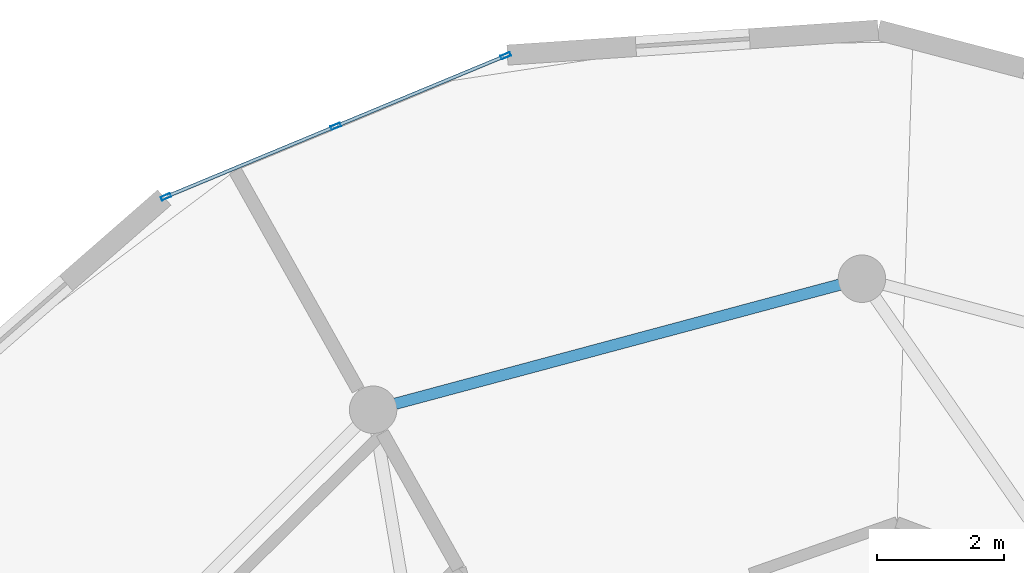
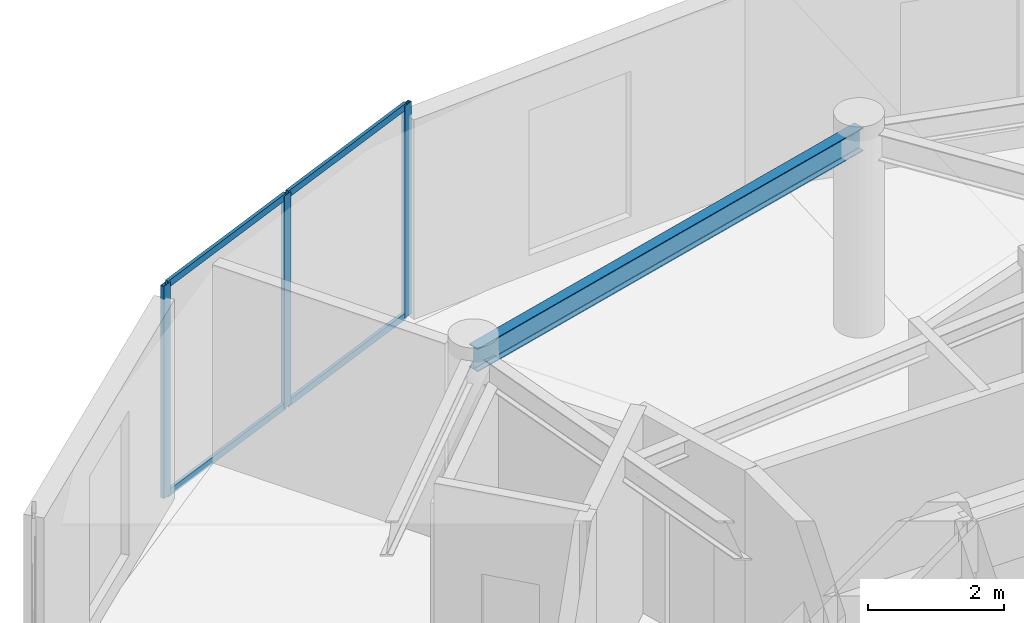
# One storey, part 14 of 22: 7 members, 1 beam, 1 element without a shape of its own.
"""IFC4 building model written with IfcOpenShell, lengths in metres."""

from ifc_helpers import new_model, si_unit, direction, frame, origin, origin_2d, place, context, subcontext, project, spatial, hollow_rectangle, i_section, extrude, source, transform, mapped, material, layer, layer_set, material_profile, profile_set, type_object, element, aggregate, save


model = new_model("IFC4")

# Units and contexts
model_context = context("Model", 3, precision=1e-05, world=origin(), true_north=direction((0.0, 1.0)))
body_context = subcontext(model_context, "Body", "Model", "MODEL_VIEW")
ifc_project = project(units=[si_unit("LENGTHUNIT", "METRE"), si_unit("AREAUNIT", "SQUARE_METRE"), si_unit("VOLUMEUNIT", "CUBIC_METRE"), si_unit("PLANEANGLEUNIT", "RADIAN"), si_unit("MASSUNIT", "GRAM", prefix="KILO")], contexts=[model_context])

# Site, building, storey
site_placement = place(None, origin())
site = spatial("IfcSite", under=ifc_project, at=site_placement, CompositionType="ELEMENT")
building_placement = place(site_placement, origin())
building = spatial("IfcBuilding", under=site, at=building_placement, Name="Solvirekh Grand Hotel", CompositionType="ELEMENT")
storey_placement = place(building_placement, frame((0.0, 0.0, 243.0)))
storey = spatial("IfcBuildingStorey", under=building, at=storey_placement, Name="L63", CompositionType="ELEMENT", Elevation=243.0)

# Beam
ifc_material_1 = material(Name="Steel S355", Category="steel")
ifc_material_profile_1 = material_profile(ifc_material_1, i_section(OverallWidth=0.180908203125, OverallDepth=0.4169921875, WebThickness=0.010009765625, FlangeThickness=0.01611328125, FilletRadius=0.011962890625, at=origin_2d()), Name="W410X85")
ifc_profile_set_1 = profile_set([ifc_material_profile_1], Name="Steel S355")
beam_type = type_object("IfcBeamType", Name="Spandrel_Ring_W410", PredefinedType="SPANDREL", material=ifc_profile_set_1)
beam_placement = place(storey_placement, frame((0.0, 15.449951171875, 3.362060546875), z_axis=(-0.965921616143, -0.258834757072, 0.0), x_axis=(0.258834757072, -0.965921616143, 0.0)))
element("IfcBeam", 1, at=beam_placement, inside=storey, type_object=beam_type, Name="L63 perimeter spandrel beam 4", PredefinedType="SPANDREL", context=body_context, shape_type="SweptSolid", body=[
    extrude(i_section(OverallWidth=0.180908203125, OverallDepth=0.4169921875, WebThickness=0.010009765625, FlangeThickness=0.01611328125, FilletRadius=0.011962890625, at=origin_2d()), origin(), (0.0, 0.0, 1.0), 7.99755859375),
])

# Curtain wall, members
ifc_material_2 = material(Name="Anodized Bronze Aluminium 6063-T6", Category="aluminium")
ifc_layer = layer(ifc_material_2, 0.159912109375)
ifc_layer_set = layer_set([ifc_layer], Name="Anodized Bronze Aluminium 6063-T6")
curtain_wall_type = type_object("IfcCurtainWallType", Name="CW_Sys4_HighZoneFlushBronzeCW", PredefinedType="NOTDEFINED", material=ifc_layer_set)
curtain_wall_placement = place(storey_placement, origin())
curtain_wall = element("IfcCurtainWall", 2, at=curtain_wall_placement, inside=storey, type_object=curtain_wall_type, Name="L63 unitised bronze-glass curtain wall CW-L63-C11", PredefinedType="NOTDEFINED")
ifc_material_profile_2 = material_profile(ifc_material_2, hollow_rectangle(XDim=0.06005859375, YDim=0.159912109375, WallThickness=0.0048828125, at=origin_2d()), Name="ALU RHS 160X60X5")
ifc_profile_set_2 = profile_set([ifc_material_profile_2], Name="Anodized Bronze Aluminium 6063-T6")
member_type_1 = type_object("IfcMemberType", Name="CWMullion_Sys4", PredefinedType="MULLION", material=ifc_profile_set_2)
shared_shape_1 = source(origin(), body_context, "Body", "SweptSolid", [
    extrude(hollow_rectangle(XDim=0.06005859375, YDim=0.159912109375, WallThickness=0.0048828125, at=origin_2d()), origin(), (0.0, 0.0, 1.0), 3.800048828125),
])
member_1_placement = place(storey_placement, frame((-5.630615234375, 18.973388671875, 0.0), z_axis=(0.0, 0.0, 1.0), x_axis=(0.383514713871, -0.923534766126, 0.0)))
member_1 = element("IfcMember", 3, at=member_1_placement, type_object=member_type_1, Name="U04 mullion 1", PredefinedType="MULLION", context=body_context, shape_type="MappedRepresentation", body=[
    mapped(shared_shape_1, transform((0.0, 0.0, 0.0), x_axis=(1.0, 0.0, 0.0), y_axis=(0.0, 1.0, 0.0), z_axis=(0.0, 0.0, 1.0), scale=1.0)),
])
member_2_placement = place(storey_placement, frame((-8.314453125, 17.85888671875, 0.0), z_axis=(0.0, 0.0, 1.0), x_axis=(0.383514713871, -0.923534766126, 0.0)))
member_2 = element("IfcMember", 4, at=member_2_placement, type_object=member_type_1, Name="U04 mullion 2", PredefinedType="MULLION", context=body_context, shape_type="MappedRepresentation", body=[
    mapped(shared_shape_1, transform((0.0, 0.0, 0.0), x_axis=(1.0, 0.0, 0.0), y_axis=(0.0, 1.0, 0.0), z_axis=(0.0, 0.0, 1.0), scale=1.0)),
])
member_3_placement = place(storey_placement, frame((-10.998291015625, 16.744384765625, 0.0), z_axis=(0.0, 0.0, 1.0), x_axis=(0.383514713871, -0.923534766126, 0.0)))
member_3 = element("IfcMember", 5, at=member_3_placement, type_object=member_type_1, Name="U04 mullion 3", PredefinedType="MULLION", context=body_context, shape_type="MappedRepresentation", body=[
    mapped(shared_shape_1, transform((0.0, 0.0, 0.0), x_axis=(1.0, 0.0, 0.0), y_axis=(0.0, 1.0, 0.0), z_axis=(0.0, 0.0, 1.0), scale=1.0)),
])
ifc_material_profile_3 = material_profile(ifc_material_2, hollow_rectangle(XDim=0.054931640625, YDim=0.1201171875, WallThickness=0.00390625, at=origin_2d()), Name="ALU RHS 120X55X4")
ifc_profile_set_3 = profile_set([ifc_material_profile_3], Name="Anodized Bronze Aluminium 6063-T6")
member_type_2 = type_object("IfcMemberType", Name="CWTransom_Sys4", PredefinedType="USERDEFINED", material=ifc_profile_set_3)
shared_shape_2 = source(origin(), body_context, "Body", "SweptSolid", [
    extrude(hollow_rectangle(XDim=0.054931640625, YDim=0.1201171875, WallThickness=0.00390625, at=origin_2d()), origin(), (0.0, 0.0, 1.0), 2.845947265625),
])
member_4_placement = place(storey_placement, frame((-5.658447265625, 18.9619140625, 0.027587890625), z_axis=(-0.923558419422, -0.383457749844, 0.0), x_axis=(0.383457749844, -0.923558419422, 0.0)))
member_4 = element("IfcMember", 6, at=member_4_placement, type_object=member_type_2, Name="U04 transom 1.1", ObjectType="TRANSOM", PredefinedType="USERDEFINED", context=body_context, shape_type="MappedRepresentation", body=[
    mapped(shared_shape_2, transform((0.0, 0.0, 0.0), x_axis=(1.0, 0.0, 0.0), y_axis=(0.0, 1.0, 0.0), z_axis=(0.0, 0.0, 1.0), scale=1.0)),
])
member_5_placement = place(storey_placement, frame((-5.658447265625, 18.9619140625, 3.7724609375), z_axis=(-0.923558419422, -0.383457749844, 0.0), x_axis=(0.383457749844, -0.923558419422, 0.0)))
member_5 = element("IfcMember", 7, at=member_5_placement, type_object=member_type_2, Name="U04 transom 1.2", ObjectType="TRANSOM", PredefinedType="USERDEFINED", context=body_context, shape_type="MappedRepresentation", body=[
    mapped(shared_shape_2, transform((0.0, 0.0, 0.0), x_axis=(1.0, 0.0, 0.0), y_axis=(0.0, 1.0, 0.0), z_axis=(0.0, 0.0, 1.0), scale=1.0)),
])
member_6_placement = place(storey_placement, frame((-8.34228515625, 17.847412109375, 0.027587890625), z_axis=(-0.923558419422, -0.383457749844, 0.0), x_axis=(0.383457749844, -0.923558419422, 0.0)))
member_6 = element("IfcMember", 8, at=member_6_placement, type_object=member_type_2, Name="U04 transom 2.1", ObjectType="TRANSOM", PredefinedType="USERDEFINED", context=body_context, shape_type="MappedRepresentation", body=[
    mapped(shared_shape_2, transform((0.0, 0.0, 0.0), x_axis=(1.0, 0.0, 0.0), y_axis=(0.0, 1.0, 0.0), z_axis=(0.0, 0.0, 1.0), scale=1.0)),
])
member_7_placement = place(storey_placement, frame((-8.34228515625, 17.847412109375, 3.7724609375), z_axis=(-0.923558419422, -0.383457749844, 0.0), x_axis=(0.383457749844, -0.923558419422, 0.0)))
member_7 = element("IfcMember", 9, at=member_7_placement, type_object=member_type_2, Name="U04 transom 2.2", ObjectType="TRANSOM", PredefinedType="USERDEFINED", context=body_context, shape_type="MappedRepresentation", body=[
    mapped(shared_shape_2, transform((0.0, 0.0, 0.0), x_axis=(1.0, 0.0, 0.0), y_axis=(0.0, 1.0, 0.0), z_axis=(0.0, 0.0, 1.0), scale=1.0)),
])
aggregate(curtain_wall, [member_1, member_2, member_3, member_4, member_5, member_6, member_7])

save(model, "model.ifc")
